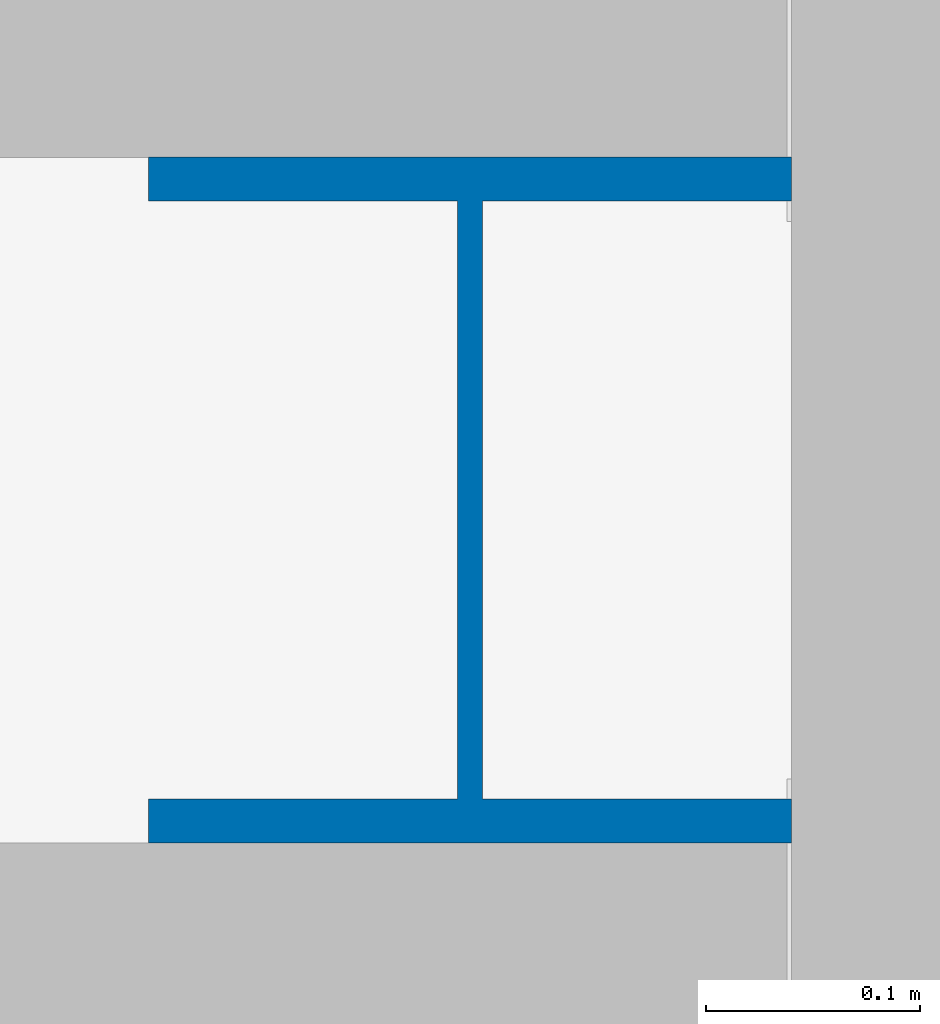
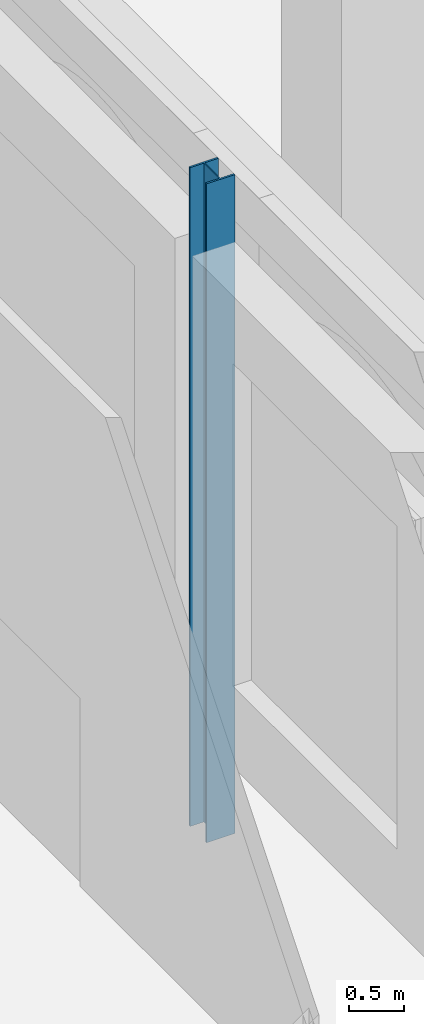
# One storey, part 21 of 222: 1 column.
"""IFC4 building model written with IfcOpenShell, lengths in metres."""

from ifc_helpers import new_model, si_unit, direction, frame, origin, origin_2d, place, context, subcontext, project, spatial, i_section, extrude, material, material_profile, profile_set, type_object, element, save


model = new_model("IFC4")

# Units and contexts
model_context = context("Model", 3, precision=1e-05, world=origin(), true_north=direction((0.0, 1.0)))
body_context = subcontext(model_context, "Body", "Model", "MODEL_VIEW")
ifc_project = project(units=[si_unit("LENGTHUNIT", "METRE"), si_unit("AREAUNIT", "SQUARE_METRE"), si_unit("VOLUMEUNIT", "CUBIC_METRE"), si_unit("PLANEANGLEUNIT", "RADIAN"), si_unit("MASSUNIT", "GRAM", prefix="KILO")], contexts=[model_context])

# Site, building, storey
site_placement = place(None, origin())
site = spatial("IfcSite", under=ifc_project, at=site_placement, CompositionType="ELEMENT")
building_placement = place(site_placement, origin())
building = spatial("IfcBuilding", under=site, at=building_placement, Name="Sava Quay Ferry Terminal", CompositionType="ELEMENT")
storey_placement = place(building_placement, origin())
storey = spatial("IfcBuildingStorey", under=building, at=storey_placement, Name="L00", CompositionType="ELEMENT", Elevation=0.0)

# Column
ifc_material = material(Name="Steel S355", Category="steel")
ifc_material_profile = material_profile(ifc_material, i_section(OverallWidth=0.300048828125, OverallDepth=0.320068359375, WebThickness=0.011474609375, FlangeThickness=0.0205078125, at=origin_2d()), Name="HE 320 B")
ifc_profile_set = profile_set([ifc_material_profile], Name="Steel S355")
column_type = type_object("IfcColumnType", Name="Column HE 320 B", PredefinedType="COLUMN", material=ifc_profile_set)
column_placement = place(storey_placement, frame((109.199951171875, 75.60009765625, -1.35009765625), z_axis=(0.0, 0.0, 1.0), x_axis=(1.0, 0.0, 0.0)))
element("IfcColumn", 1, at=column_placement, inside=storey, type_object=column_type, Name="Column L00 109.2/75.6", PredefinedType="COLUMN", context=body_context, shape_type="SweptSolid", body=[
    extrude(i_section(OverallWidth=0.300048828125, OverallDepth=0.320068359375, WebThickness=0.011474609375, FlangeThickness=0.0205078125, at=origin_2d()), origin(), (0.0, 0.0, 1.0), 7.35009765625),
])

save(model, "model.ifc")
